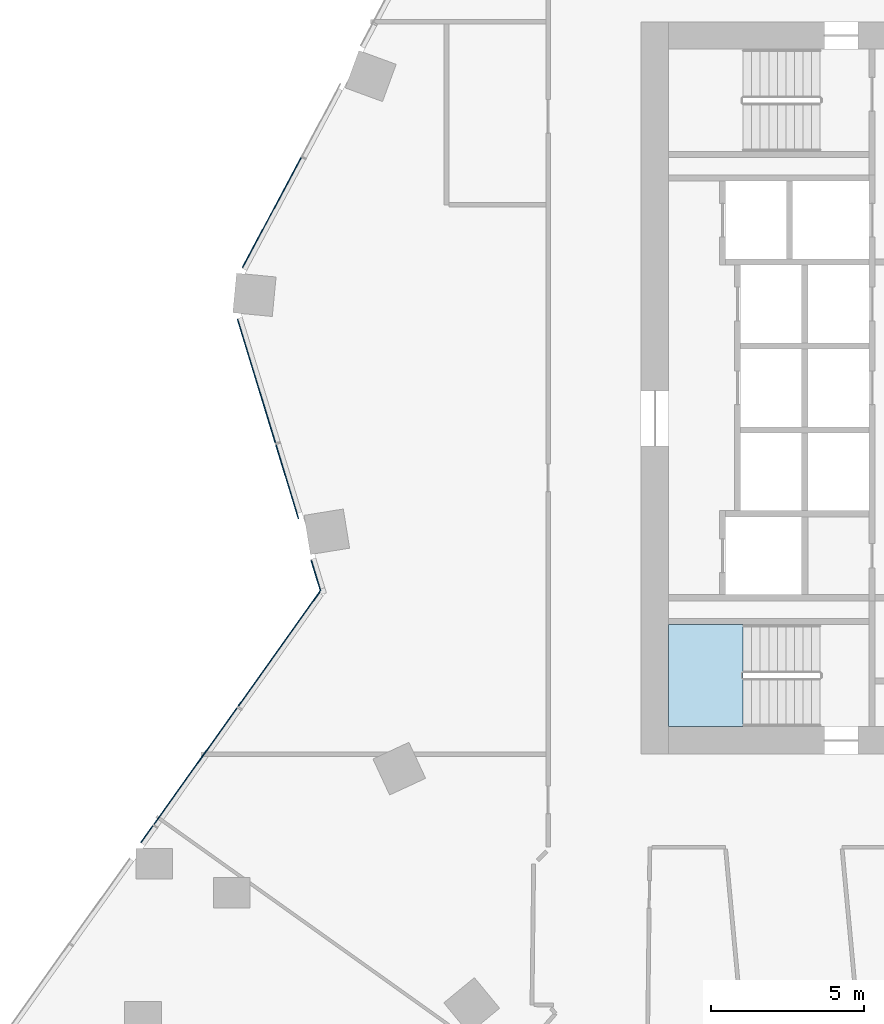
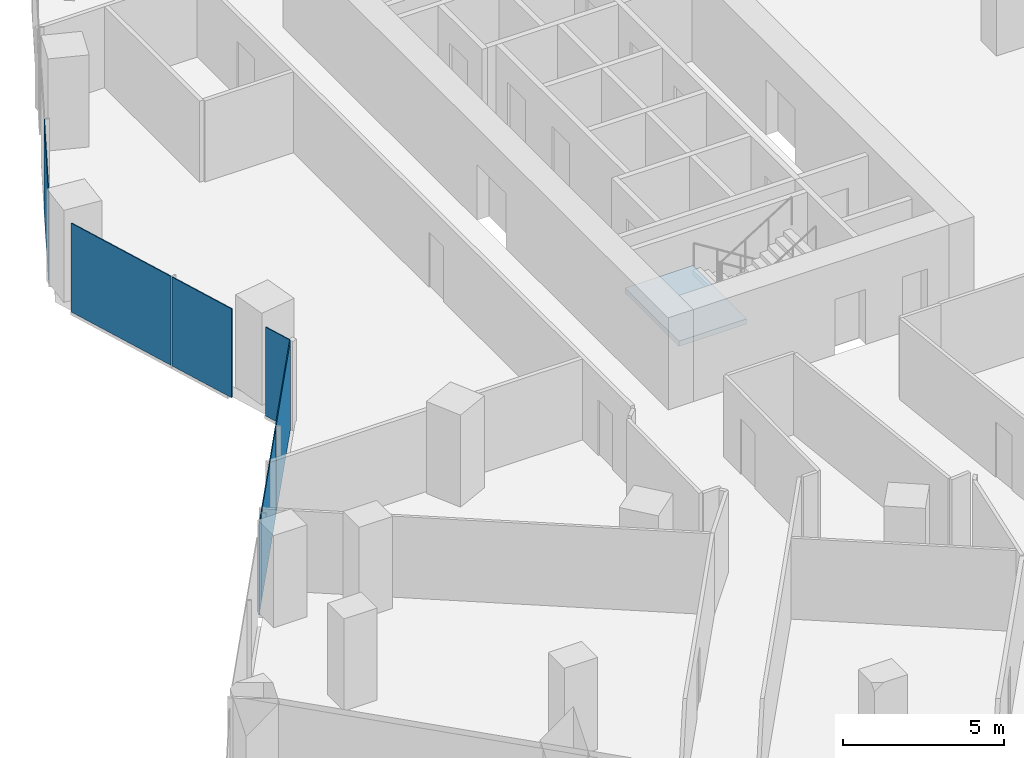
# One storey, part 18 of 31: 7 plates, 1 slab, 4 elements without a shape of their own.
"""IFC4 building model written with IfcOpenShell, lengths in metres."""

import ifcopenshell
import ifcopenshell.guid

model = None  # the IFC model being written
_history = None  # IfcOwnerHistory: only IFC2X3 demands one
_inside = {}  # id of a spatial element -> (the spatial element, [elements in it])
_under = {}  # id of a project, library or spatial element -> (it, [spatial elements below it])
_declared = {}  # id of a project -> (the project, [libraries it declares])
_typed = {}  # id of a type object -> (the type object, [elements of that type])
_made_of = {}  # id of a material, layer set ... -> (it, [elements and type objects made of it])


def new_model(schema):
    """Start an empty IFC model of exactly this schema.

    Asked for "IFC4X3", IfcOpenShell would pick the latest addendum, in which some entities
    have other attributes; the version numbers below select the first issue.
    IFC2X3 requires an IfcOwnerHistory on every rooted entity: one is made here for all.
    """
    global model, _history
    if schema == "IFC4X3":
        model = ifcopenshell.file(schema_version=(4, 3, 0, 0))
    else:
        model = ifcopenshell.file(schema=schema)
    _inside.clear()
    _under.clear()
    _declared.clear()
    _typed.clear()
    _made_of.clear()
    _history = None
    if model.schema == "IFC2X3":
        org = make("IfcOrganization", Name="unknown")
        user = make(
            "IfcPersonAndOrganization",
            ThePerson=make("IfcPerson", FamilyName="unknown"),
            TheOrganization=org,
        )
        app = make(
            "IfcApplication",
            ApplicationDeveloper=org,
            Version="unknown",
            ApplicationFullName="unknown",
            ApplicationIdentifier="unknown",
        )
        _history = make(
            "IfcOwnerHistory",
            OwningUser=user,
            OwningApplication=app,
            ChangeAction="ADDED",
            CreationDate=0,
        )
    return model


def make(cls, **values):
    """One entity of the class cls with the attributes given. An attribute that is None is left unset."""
    return model.create_entity(
        cls, **{name: value for name, value in values.items() if value is not None}
    )


def rooted(cls, **values):
    """An entity with a GlobalId (a new one), such as an element, a storey or a relation."""
    return make(cls, GlobalId=ifcopenshell.guid.new(), OwnerHistory=_history, **values)


def si_unit(unit_type, name, prefix=None):
    """IfcSIUnit, for example si_unit("LENGTHUNIT", "METRE", prefix="MILLI")."""
    return make("IfcSIUnit", UnitType=unit_type, Prefix=prefix, Name=name)


def assignment(units):
    """IfcUnitAssignment: the units of a project."""
    return None if units is None else make("IfcUnitAssignment", Units=units)


def point(xyz):
    """IfcCartesianPoint."""
    return None if xyz is None else make("IfcCartesianPoint", Coordinates=xyz)


def direction(xyz):
    """IfcDirection."""
    return None if xyz is None else make("IfcDirection", DirectionRatios=xyz)


def frame(location, z_axis=None, x_axis=None):
    """IfcAxis2Placement3D, a coordinate frame: its origin and axes. An axis left out is left unset."""
    return make(
        "IfcAxis2Placement3D",
        Location=point(location),
        Axis=direction(z_axis),
        RefDirection=direction(x_axis),
    )


def frame_2d(location, x_axis=None):
    """IfcAxis2Placement2D, a coordinate frame in the plane: its origin and x axis."""
    return make(
        "IfcAxis2Placement2D", Location=point(location), RefDirection=direction(x_axis)
    )


def origin():
    """The frame at (0, 0, 0) with its axes left unset."""
    return frame((0.0, 0.0, 0.0))


def origin_2d():
    """The frame at (0, 0) in the plane with its x axis left unset."""
    return frame_2d((0.0, 0.0))


def place(relative_to, where):
    """IfcLocalPlacement: puts the frame where relative to a parent placement (None: the world)."""
    return make(
        "IfcLocalPlacement", PlacementRelTo=relative_to, RelativePlacement=where
    )


def context(
    kind, dimensions, precision=None, world=None, true_north=None, identifier=None
):
    """IfcGeometricRepresentationContext, for example the 3D "Model" context."""
    return make(
        "IfcGeometricRepresentationContext",
        ContextIdentifier=identifier,
        ContextType=kind,
        CoordinateSpaceDimension=dimensions,
        Precision=precision,
        WorldCoordinateSystem=world,
        TrueNorth=true_north,
    )


def subcontext(parent, identifier, kind, view, scale=None):
    """IfcGeometricRepresentationSubContext, for example "Body" below "Model"."""
    return make(
        "IfcGeometricRepresentationSubContext",
        ContextIdentifier=identifier,
        ContextType=kind,
        ParentContext=parent,
        TargetScale=scale,
        TargetView=view,
    )


def project(units=None, contexts=None):
    """IfcProject with its units and contexts."""
    return rooted(
        "IfcProject",
        Name="project",
        RepresentationContexts=contexts,
        UnitsInContext=assignment(units),
    )


def spatial(cls, under=None, at=None, **own):
    """A site, building, storey or space (cls), placed at a placement, below another one or the project."""
    s = rooted(cls, ObjectPlacement=at, **own)
    if under is not None:
        _under.setdefault(under.id(), (under, []))[1].append(s)
    return s


def polyline(points):
    """IfcPolyline through the points."""
    return make("IfcPolyline", Points=[point(p) for p in points])


def profile(cls, at=None, kind="AREA", **sizes):
    """A parametric profile (cls). Its sizes go by their IFC names, for example OverallWidth=200.0."""
    return make(cls, ProfileType=kind, Position=at, **sizes)


def rectangle(**sizes):
    """IfcRectangleProfileDef."""
    return profile("IfcRectangleProfileDef", **sizes)


def outline(outer, holes=None, kind="AREA"):
    """IfcArbitraryClosedProfileDef: a profile drawn as a closed curve; with holes, ...WithVoids."""
    if holes is None:
        return make("IfcArbitraryClosedProfileDef", ProfileType=kind, OuterCurve=outer)
    return make(
        "IfcArbitraryProfileDefWithVoids",
        ProfileType=kind,
        OuterCurve=outer,
        InnerCurves=holes,
    )


def extrude(swept, where, along, depth):
    """IfcExtrudedAreaSolid: the profile swept, set in the frame where, extruded along a direction by depth."""
    return make(
        "IfcExtrudedAreaSolid",
        SweptArea=swept,
        Position=where,
        ExtrudedDirection=direction(along),
        Depth=depth,
    )


def shape(context_of_items, identifier, shape_type, items):
    """IfcShapeRepresentation: the items that make up one representation, for example the "Body"."""
    return make(
        "IfcShapeRepresentation",
        ContextOfItems=context_of_items,
        RepresentationIdentifier=identifier,
        RepresentationType=shape_type,
        Items=items,
    )


def material(Name=None, Category=None):
    """IfcMaterial."""
    return make("IfcMaterial", Name=Name, Category=Category)


def layer(
    of_material, thickness, ventilated=None, Name=None, Category=None, Priority=None
):
    """IfcMaterialLayer: one layer of a wall or slab, of a material (None: an air gap)."""
    return make(
        "IfcMaterialLayer",
        Material=of_material,
        LayerThickness=thickness,
        IsVentilated=ventilated,
        Name=Name,
        Category=Category,
        Priority=Priority,
    )


def layer_set(layers, Name=None):
    """IfcMaterialLayerSet."""
    return make("IfcMaterialLayerSet", MaterialLayers=layers, LayerSetName=Name)


def made_of(thing, what):
    """Note that an element or type object is made of a material, layer set ...; save() writes the relation."""
    if what is not None:
        _made_of.setdefault(what.id(), (what, []))[1].append(thing)
    return thing


def type_object(cls, material=None, **own):
    """A type object (cls), such as IfcWallType, which elements share."""
    return made_of(rooted(cls, **own), material)


def element(
    cls,
    number,
    at=None,
    inside=None,
    cuts=None,
    type_object=None,
    material=None,
    context=None,
    identifier="Body",
    shape_type=None,
    held_by="IfcProductDefinitionShape",
    body=None,
    shapes=None,
    **own,
):
    """One element of the class cls, such as IfcWall. Its Tag is "e" and its number.

    at: its placement. inside: the storey or other place that contains it. cuts: it is an
    opening in that element (IfcRelVoidsElement). A single representation is given by context,
    identifier, shape_type and body (its items); several are given by shapes. held_by: the class
    of the entity that holds the representations. save() writes the other relations.
    """
    e = rooted(cls, Tag="e%d" % number, ObjectPlacement=at, **own)
    if body is not None:
        shapes = [shape(context, identifier, shape_type, body)]
    if shapes is not None:
        e.Representation = make(held_by, Representations=shapes)
    if inside is not None:
        _inside.setdefault(inside.id(), (inside, []))[1].append(e)
    if cuts is not None:
        rooted(
            "IfcRelVoidsElement", RelatingBuildingElement=cuts, RelatedOpeningElement=e
        )
    if type_object is not None:
        _typed.setdefault(type_object.id(), (type_object, []))[1].append(e)
    return made_of(e, material)


def aggregate(whole, parts):
    """IfcRelAggregates: a whole, such as a stair, and the parts it consists of."""
    return rooted("IfcRelAggregates", RelatingObject=whole, RelatedObjects=parts)


def save(model, path):
    """Write the relations noted so far, then the file.

    IfcRelAggregates (storeys below a building ...), IfcRelContainedInSpatialStructure (elements
    in a storey), IfcRelDefinesByType, IfcRelAssociatesMaterial and IfcRelDeclares: one each for
    every whole, place, type object, material and project.
    """
    for whole, parts in _under.values():
        aggregate(whole, parts)
    for where, things in _inside.values():
        rooted(
            "IfcRelContainedInSpatialStructure",
            RelatedElements=things,
            RelatingStructure=where,
        )
    for kind, things in _typed.values():
        rooted("IfcRelDefinesByType", RelatedObjects=things, RelatingType=kind)
    for what, things in _made_of.values():
        rooted("IfcRelAssociatesMaterial", RelatedObjects=things, RelatingMaterial=what)
    for by, libraries in _declared.values():
        rooted("IfcRelDeclares", RelatingContext=by, RelatedDefinitions=libraries)
    model.write(path)


model = new_model("IFC4")

# Units and contexts
model_context = context("Model", 3, precision=1e-05, world=origin(), true_north=direction((0.0, 1.0)))
body_context = subcontext(model_context, "Body", "Model", "MODEL_VIEW")
ifc_project = project(units=[si_unit("LENGTHUNIT", "METRE"), si_unit("AREAUNIT", "SQUARE_METRE"), si_unit("VOLUMEUNIT", "CUBIC_METRE"), si_unit("PLANEANGLEUNIT", "RADIAN"), si_unit("MASSUNIT", "GRAM", prefix="KILO")], contexts=[model_context])

# Site, building, storey
site_placement = place(None, origin())
site = spatial("IfcSite", under=ifc_project, at=site_placement, CompositionType="ELEMENT")
building_placement = place(site_placement, origin())
building = spatial("IfcBuilding", under=site, at=building_placement, Name="Orlundy Tower", CompositionType="ELEMENT")
storey_placement = place(building_placement, frame((0.0, 0.0, 91.199951171875)))
storey = spatial("IfcBuildingStorey", under=building, at=storey_placement, Name="L22", CompositionType="ELEMENT", Elevation=91.199951171875)

# Curtain wall, plates
ifc_material_1 = material(Name="Aluminium bronze anodised", Category="aluminium")
curtain_wall_type = type_object("IfcCurtainWallType", Name="CW1 wall", PredefinedType="NOTDEFINED", material=ifc_material_1)
curtain_wall_1_placement = place(storey_placement, origin())
curtain_wall_1 = element("IfcCurtainWall", 1, at=curtain_wall_1_placement, inside=storey, type_object=curtain_wall_type, Name="CW1 run 00", PredefinedType="NOTDEFINED")
ifc_material_2 = material(Name="Tinted glass", Category="glass")
ifc_layer_1 = layer(ifc_material_2, 0.031982421875)
ifc_layer_set_1 = layer_set([ifc_layer_1], Name="CW1 glass panel 32")
plate_type = type_object("IfcPlateType", Name="CW1 glass panel 32", PredefinedType="CURTAIN_PANEL", material=ifc_layer_set_1)
plate_1_placement = place(storey_placement, frame((-35.197998046875, -14.62255859375, -0.27978515625), z_axis=(0.0, 0.0, 1.0), x_axis=(0.580700988829, 0.814116921316, 0.0)))
plate_1 = element("IfcPlate", 2, at=plate_1_placement, type_object=plate_type, Name="CW1 panel", PredefinedType="CURTAIN_PANEL", context=body_context, shape_type="SweptSolid", body=[
    extrude(rectangle(XDim=0.681640625, YDim=0.031982421875, at=origin_2d()), origin(), (0.0, 0.0, 1.0), 3.3798828125),
])
plate_2_placement = place(storey_placement, frame((-33.604736328125, -12.388916015625, -0.27978515625), z_axis=(0.0, 0.0, 1.0), x_axis=(0.580700988829, 0.814116921316, 0.0)))
plate_2 = element("IfcPlate", 3, at=plate_2_placement, type_object=plate_type, Name="CW1 panel", PredefinedType="CURTAIN_PANEL", context=body_context, shape_type="SweptSolid", body=[
    extrude(rectangle(XDim=4.70556640625, YDim=0.031982421875, at=origin_2d()), origin(), (0.0, 0.0, 1.0), 3.3798828125),
])
plate_3_placement = place(storey_placement, frame((-30.859375, -8.540283203125, -0.27978515625), z_axis=(0.0, 0.0, 1.0), x_axis=(0.580700988829, 0.814116921316, 0.0)))
plate_3 = element("IfcPlate", 4, at=plate_3_placement, type_object=plate_type, Name="CW1 panel", PredefinedType="CURTAIN_PANEL", context=body_context, shape_type="SweptSolid", body=[
    extrude(rectangle(XDim=4.649658203125, YDim=0.031982421875, at=origin_2d()), origin(), (0.0, 0.0, 1.0), 3.3798828125),
])
aggregate(curtain_wall_1, [plate_1, plate_2, plate_3])

curtain_wall_2_placement = place(storey_placement, origin())
curtain_wall_2 = element("IfcCurtainWall", 5, at=curtain_wall_2_placement, inside=storey, type_object=curtain_wall_type, Name="CW1 run 01", PredefinedType="NOTDEFINED")
plate_4_placement = place(storey_placement, frame((-29.660888671875, -6.15234375, -0.27978515625), z_axis=(0.0, 0.0, 1.0), x_axis=(-0.292389783533, 0.956299228529, 0.0)))
plate_4 = element("IfcPlate", 6, at=plate_4_placement, type_object=plate_type, Name="CW1 panel", PredefinedType="CURTAIN_PANEL", context=body_context, shape_type="SweptSolid", body=[
    extrude(rectangle(XDim=1.035888671875, YDim=0.031982421875, at=origin_2d()), origin(), (0.0, 0.0, 1.0), 3.3798828125),
])
plate_5_placement = place(storey_placement, frame((-30.603515625, -3.0693359375, -0.27978515625), z_axis=(0.0, 0.0, 1.0), x_axis=(-0.292389783533, 0.956299228529, 0.0)))
plate_5 = element("IfcPlate", 7, at=plate_5_placement, type_object=plate_type, Name="CW1 panel", PredefinedType="CURTAIN_PANEL", context=body_context, shape_type="SweptSolid", body=[
    extrude(rectangle(XDim=2.541015625, YDim=0.031982421875, at=origin_2d()), origin(), (0.0, 0.0, 1.0), 3.3798828125),
])
plate_6_placement = place(storey_placement, frame((-31.609619140625, 0.221435546875, -0.27978515625), z_axis=(0.0, 0.0, 1.0), x_axis=(-0.292389783533, 0.956299228529, 0.0)))
plate_6 = element("IfcPlate", 8, at=plate_6_placement, type_object=plate_type, Name="CW1 panel", PredefinedType="CURTAIN_PANEL", context=body_context, shape_type="SweptSolid", body=[
    extrude(rectangle(XDim=4.2412109375, YDim=0.031982421875, at=origin_2d()), origin(), (0.0, 0.0, 1.0), 3.3798828125),
])
aggregate(curtain_wall_2, [plate_4, plate_5, plate_6])

# Curtain wall, plate
curtain_wall_3_placement = place(storey_placement, origin())
curtain_wall_3 = element("IfcCurtainWall", 9, at=curtain_wall_3_placement, inside=storey, type_object=curtain_wall_type, Name="CW1 run 02", PredefinedType="NOTDEFINED")
plate_7_placement = place(storey_placement, frame((-31.10595703125, 5.74853515625, -0.27978515625), z_axis=(0.0, 0.0, 1.0), x_axis=(0.469445471129, 0.882961465544, 0.0)))
plate_7 = element("IfcPlate", 10, at=plate_7_placement, type_object=plate_type, Name="CW1 panel", PredefinedType="CURTAIN_PANEL", context=body_context, shape_type="SweptSolid", body=[
    extrude(rectangle(XDim=4.09326171875, YDim=0.031982421875, at=origin_2d()), origin(), (0.0, 0.0, 1.0), 3.3798828125),
])
aggregate(curtain_wall_3, [plate_7])

# Stair, slab
ifc_material_3 = material(Name="Concrete C50/60", Category="concrete")
stair_type = type_object("IfcStairType", Name="Exit Stair 20 risers", PredefinedType="HALF_TURN_STAIR", material=ifc_material_3)
stair_placement = place(storey_placement, origin())
stair = element("IfcStair", 11, at=stair_placement, inside=storey, type_object=stair_type, Name="L22 Exit Stair ST-W2", PredefinedType="HALF_TURN_STAIR")
ifc_material_4 = material(Name="Concrete C50/60", Category="concrete")
ifc_layer_2 = layer(ifc_material_4, 0.199951171875)
ifc_layer_set_2 = layer_set([ifc_layer_2], Name="Exit Stair Landing")
slab_type = type_object("IfcSlabType", Name="Exit Stair Landing", PredefinedType="LANDING", material=ifc_layer_set_2)
slab_placement = place(storey_placement, frame((0.0, 0.0, 1.550048828125)))
slab = element("IfcSlab", 12, at=slab_placement, type_object=slab_type, Name="ST-W2 landing 1", PredefinedType="LANDING", context=body_context, shape_type="SweptSolid", body=[
    extrude(outline(polyline([(-15.659912109375, -7.75), (-18.10009765625, -7.75), (-18.10009765625, -11.10009765625), (-15.659912109375, -11.10009765625), (-15.659912109375, -7.75)])), origin(), (0.0, 0.0, 1.0), 0.199951171875),
])
aggregate(stair, [slab])

save(model, "model.ifc")
